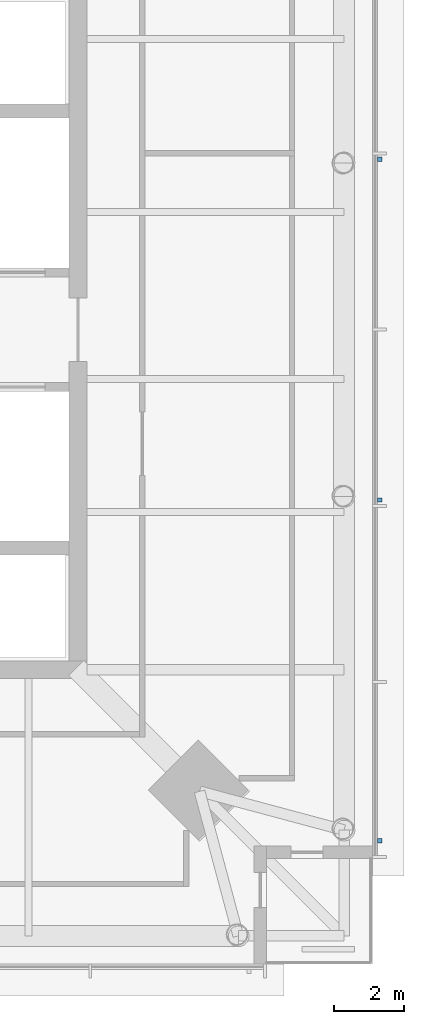
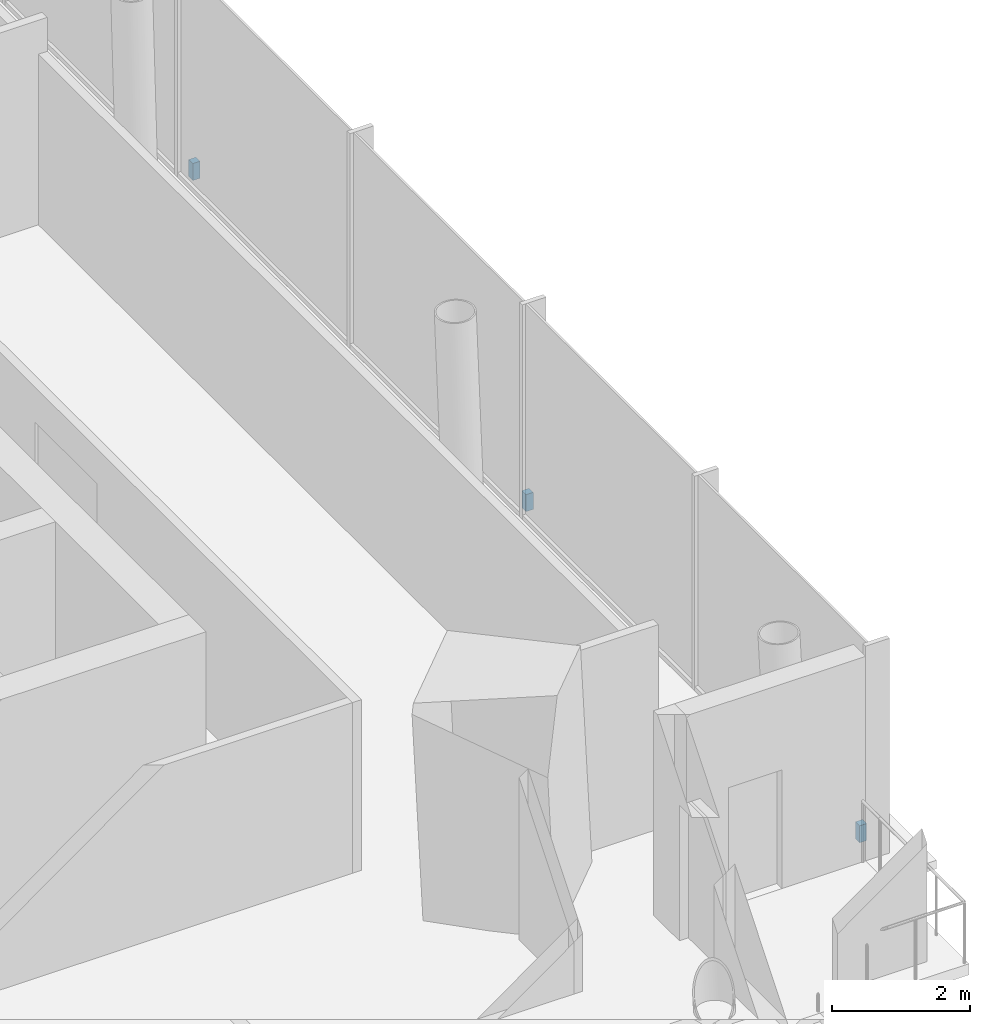
# One storey, part 7 of 10: 3 discrete accessories.
"""IFC4 building model written with IfcOpenShell, lengths in metres."""

from ifc_helpers import new_model, si_unit, direction, frame, origin, origin_2d, place, context, subcontext, project, spatial, rectangle, extrude, material, type_object, element, save


model = new_model("IFC4")

# Units and contexts
model_context = context("Model", 3, precision=1e-05, world=origin(), true_north=direction((0.0, 1.0)))
body_context = subcontext(model_context, "Body", "Model", "MODEL_VIEW")
ifc_project = project(units=[si_unit("LENGTHUNIT", "METRE"), si_unit("AREAUNIT", "SQUARE_METRE"), si_unit("VOLUMEUNIT", "CUBIC_METRE"), si_unit("PLANEANGLEUNIT", "RADIAN"), si_unit("MASSUNIT", "GRAM", prefix="KILO")], contexts=[model_context])

# Site, building, storey
site_placement = place(None, origin())
site = spatial("IfcSite", under=ifc_project, at=site_placement, CompositionType="ELEMENT")
building_placement = place(site_placement, origin())
building = spatial("IfcBuilding", under=site, at=building_placement, Name="Ostroluk Exchange", CompositionType="ELEMENT")
storey_placement = place(building_placement, frame((0.0, 0.0, 233.800048828125)))
storey = spatial("IfcBuildingStorey", under=building, at=storey_placement, Name="L60", CompositionType="ELEMENT", Elevation=233.800048828125)

# Discrete accessories
ifc_material = material(Name="Stainless steel", Category="steel")
discrete_accessory_type = type_object("IfcDiscreteAccessoryType", Name="Fall-arrest anchor PN-EN 795 type C", PredefinedType="USERDEFINED", material=ifc_material)
for number, where, z_axis, x_axis, name in (
    (1, (63.2099609375, 31.5, 0.0), (0.0, 0.0, 1.0), (1.0, 0.0, 0.0), "Fall-arrest anchor L60 east 1"),
    (2, (63.2099609375, 41.166748046875, 0.0), (0.0, 0.0, 1.0), (1.0, 0.0, 0.0), "Fall-arrest anchor L60 east 2"),
    (3, (63.2099609375, 50.833251953125, 0.0), (0.0, 0.0, 1.0), (1.0, 0.0, 0.0), "Fall-arrest anchor L60 east 3"),
):
    element("IfcDiscreteAccessory", number, at=place(storey_placement, frame(where, z_axis=z_axis, x_axis=x_axis)), inside=storey, type_object=discrete_accessory_type, Name=name, ObjectType="FALL ARREST ANCHOR", PredefinedType="USERDEFINED", context=body_context, shape_type="SweptSolid", body=[
        extrude(rectangle(XDim=0.1201171875, YDim=0.1201171875, at=origin_2d()), origin(), (0.0, 0.0, 1.0), 0.300048828125),
    ])

save(model, "model.ifc")
